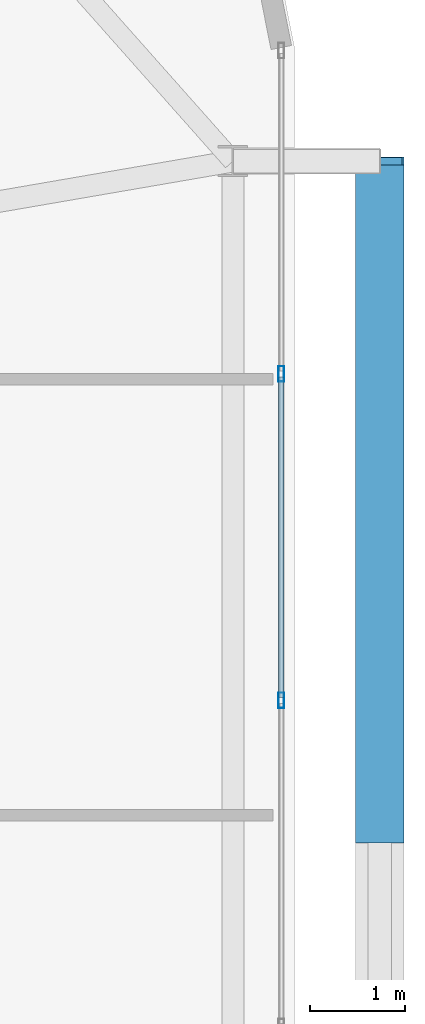
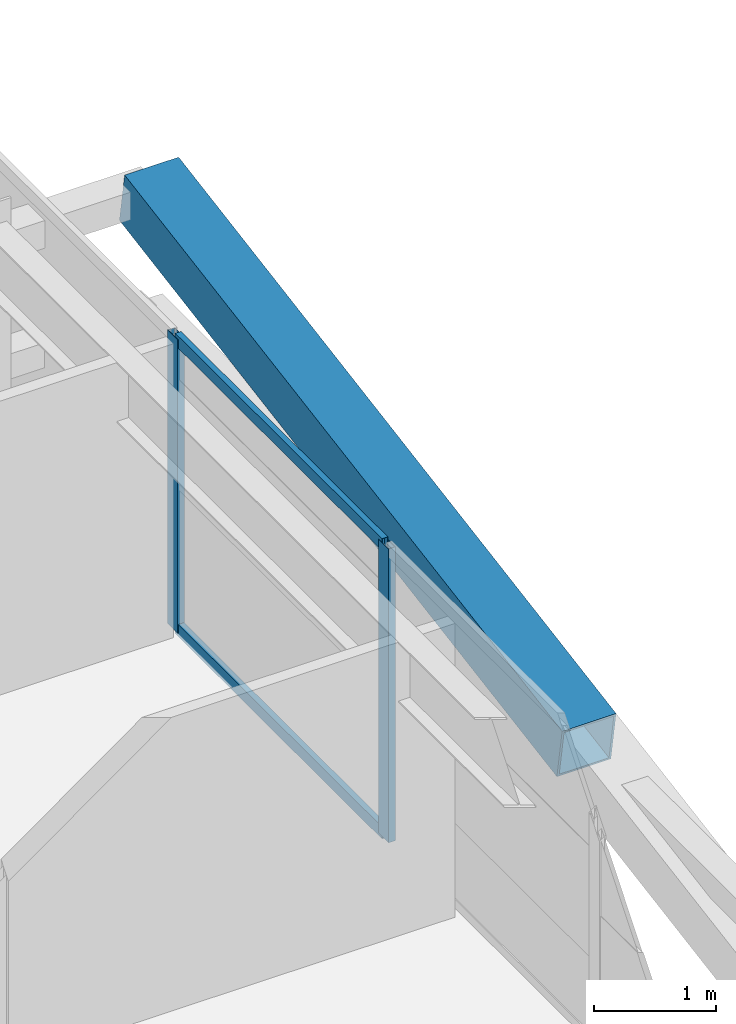
# One storey, part 32 of 58: 5 members, 1 element without a shape of its own.
"""IFC4 building model written with IfcOpenShell, lengths in metres."""

from ifc_helpers import new_model, si_unit, direction, frame, origin, origin_2d, place, context, subcontext, project, spatial, hollow_rectangle, extrude, source, transform, mapped, material, layer, layer_set, material_profile, profile_set, type_object, element, aggregate, save


model = new_model("IFC4")

# Units and contexts
model_context = context("Model", 3, precision=1e-05, world=origin(), true_north=direction((0.0, 1.0)))
body_context = subcontext(model_context, "Body", "Model", "MODEL_VIEW")
ifc_project = project(units=[si_unit("LENGTHUNIT", "METRE"), si_unit("AREAUNIT", "SQUARE_METRE"), si_unit("VOLUMEUNIT", "CUBIC_METRE"), si_unit("PLANEANGLEUNIT", "RADIAN"), si_unit("MASSUNIT", "GRAM", prefix="KILO")], contexts=[model_context])

# Site, building, storey
site_placement = place(None, origin())
site = spatial("IfcSite", under=ifc_project, at=site_placement, CompositionType="ELEMENT")
building_placement = place(site_placement, origin())
building = spatial("IfcBuilding", under=site, at=building_placement, Name="Taldren Reach Tower", CompositionType="ELEMENT")
storey_placement = place(building_placement, frame((0.0, 0.0, 51.449951171875)))
storey = spatial("IfcBuildingStorey", under=building, at=storey_placement, Name="L15", CompositionType="ELEMENT", Elevation=51.449951171875)

# Member
ifc_material_1 = material(Name="Steel Gr 450 (C450L0)", Category="steel")
ifc_material_profile_1 = material_profile(ifc_material_1, hollow_rectangle(XDim=0.510009765625, YDim=0.510009765625, WallThickness=0.02001953125, at=origin_2d()), Name="510x510x20.0SHS")
ifc_profile_set_1 = profile_set([ifc_material_profile_1], Name="Steel Gr 450 (C450L0)")
member_type_1 = type_object("IfcMemberType", Name="MB-EXO508", PredefinedType="BRACE", material=ifc_profile_set_1)
shared_shape_1 = source(origin(), body_context, "Body", "SweptSolid", [
    extrude(hollow_rectangle(XDim=0.510009765625, YDim=0.510009765625, WallThickness=0.02001953125, at=origin_2d()), origin(), (0.0, 0.0, 1.0), 7.252685546875),
])
member_1_placement = place(storey_placement, frame((65.89990234375, 27.14990234375, 1.43505859375), z_axis=(0.0, 0.985865800628, 0.167536930711), x_axis=(-1.0, 0.0, 0.0)))
element("IfcMember", 1, at=member_1_placement, inside=storey, type_object=member_type_1, Name="Exoskeleton Diagrid Brace B1-E2 L15", PredefinedType="BRACE", context=body_context, shape_type="MappedRepresentation", body=[
    mapped(shared_shape_1, transform((0.0, 0.0, 0.0), scale=1.0)),
])

# Curtain wall, members
ifc_material_2 = material(Name="Aluminium and Low-E Glass Unitised System", Category="aluminium")
ifc_layer = layer(ifc_material_2, 0.159912109375)
ifc_layer_set = layer_set([ifc_layer], Name="Aluminium and Low-E Glass Unitised System")
curtain_wall_type = type_object("IfcCurtainWallType", Name="CW-SYS-2", PredefinedType="NOTDEFINED", material=ifc_layer_set)
curtain_wall_placement = place(storey_placement, origin())
curtain_wall = element("IfcCurtainWall", 2, at=curtain_wall_placement, inside=storey, type_object=curtain_wall_type, Name="Unitised curtain wall CW-L15-E", PredefinedType="NOTDEFINED")
ifc_material_3 = material(Name="Anodised Aluminium 6063-T6", Category="aluminium")
ifc_material_profile_2 = material_profile(ifc_material_3, hollow_rectangle(XDim=0.06494140625, YDim=0.1650390625, WallThickness=0.00390625, at=origin_2d()), Name="ALU-165x65x4RHS")
ifc_profile_set_2 = profile_set([ifc_material_profile_2], Name="Anodised Aluminium 6063-T6")
member_type_2 = type_object("IfcMemberType", Name="CW-MUL-165", PredefinedType="MULLION", material=ifc_profile_set_2)
shared_shape_2 = source(origin(), body_context, "Body", "SweptSolid", [
    extrude(hollow_rectangle(XDim=0.06494140625, YDim=0.1650390625, WallThickness=0.00390625, at=origin_2d()), origin(), (0.0, 0.0, 1.0), 2.929931640625),
])
member_2_placement = place(storey_placement, frame((64.860107421875, 28.611083984375, 0.0), z_axis=(0.0, 0.0, 1.0), x_axis=(-1.0, 0.0, 0.0)))
member_2 = element("IfcMember", 3, at=member_2_placement, type_object=member_type_2, Name="CW-2 mullion 8", PredefinedType="MULLION", context=body_context, shape_type="MappedRepresentation", body=[
    mapped(shared_shape_2, transform((0.0, 0.0, 0.0), scale=1.0)),
])
member_3_placement = place(storey_placement, frame((64.860107421875, 32.0556640625, 0.0), z_axis=(0.0, 0.0, 1.0), x_axis=(-1.0, 0.0, 0.0)))
member_3 = element("IfcMember", 4, at=member_3_placement, type_object=member_type_2, Name="CW-2 mullion 9", PredefinedType="MULLION", context=body_context, shape_type="MappedRepresentation", body=[
    mapped(shared_shape_2, transform((0.0, 0.0, 0.0), scale=1.0)),
])
ifc_material_profile_3 = material_profile(ifc_material_3, hollow_rectangle(XDim=0.054931640625, YDim=0.1201171875, WallThickness=0.0029296875, at=origin_2d()), Name="ALU-120x55x3RHS")
ifc_profile_set_3 = profile_set([ifc_material_profile_3], Name="Anodised Aluminium 6063-T6")
member_type_3 = type_object("IfcMemberType", Name="CW-TRN-135", PredefinedType="USERDEFINED", material=ifc_profile_set_3)
shared_shape_3 = source(origin(), body_context, "Body", "SweptSolid", [
    extrude(hollow_rectangle(XDim=0.054931640625, YDim=0.1201171875, WallThickness=0.0029296875, at=origin_2d()), origin(), (0.0, 0.0, 1.0), 3.37939453125),
])
member_4_placement = place(storey_placement, frame((64.860107421875, 28.6435546875, 0.027587890625), z_axis=(0.0, 1.0, 0.0), x_axis=(-1.0, 0.0, 0.0)))
member_4 = element("IfcMember", 5, at=member_4_placement, type_object=member_type_3, Name="CW-2 transom 8.1", ObjectType="TRANSOM", PredefinedType="USERDEFINED", context=body_context, shape_type="MappedRepresentation", body=[
    mapped(shared_shape_3, transform((0.0, 0.0, 0.0), scale=1.0)),
])
member_5_placement = place(storey_placement, frame((64.860107421875, 28.6435546875, 2.902587890625), z_axis=(0.0, 1.0, 0.0), x_axis=(-1.0, 0.0, 0.0)))
member_5 = element("IfcMember", 6, at=member_5_placement, type_object=member_type_3, Name="CW-2 transom 8.2", ObjectType="TRANSOM", PredefinedType="USERDEFINED", context=body_context, shape_type="MappedRepresentation", body=[
    mapped(shared_shape_3, transform((0.0, 0.0, 0.0), scale=1.0)),
])
aggregate(curtain_wall, [member_2, member_3, member_4, member_5])

save(model, "model.ifc")
